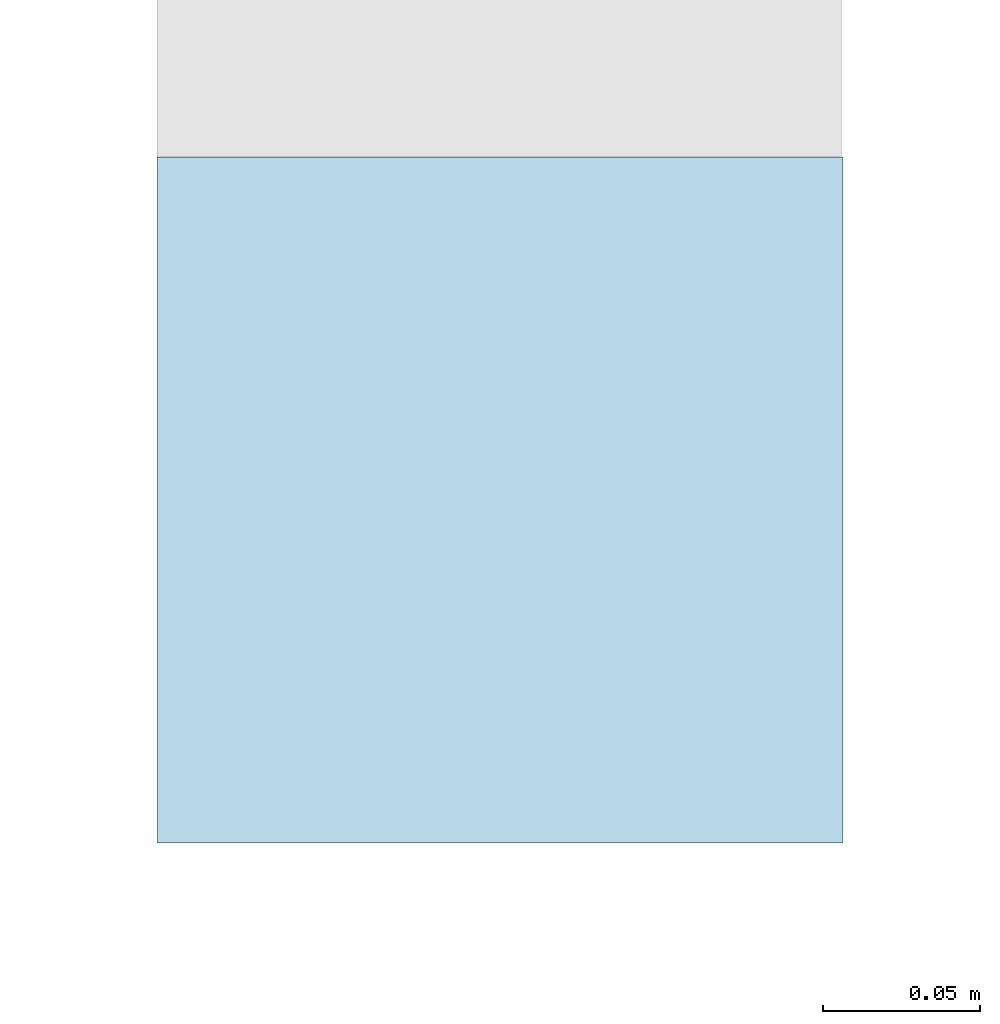
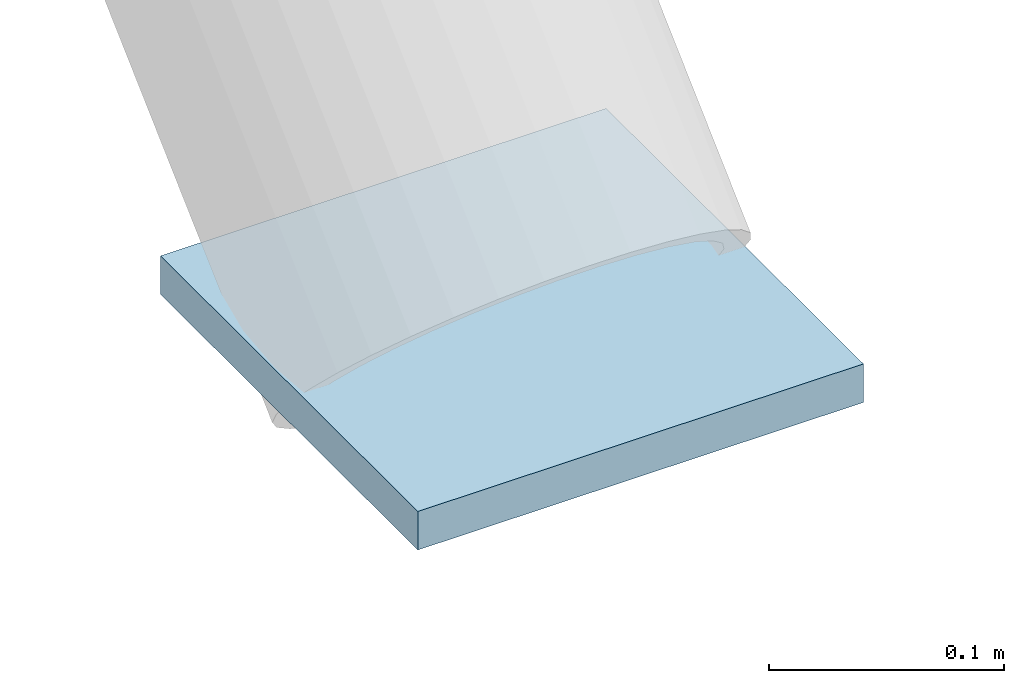
# One storey, part 57 of 109: 1 plate.
"""IFC4 building model written with IfcOpenShell, lengths in metres."""

from ifc_helpers import new_model, si_unit, derived_unit, direction, frame, origin, origin_2d, place, context, subcontext, project, spatial, rectangle, extrude, material, layer, layer_set, type_object, element, save


model = new_model("IFC4")

# Units and contexts
model_context = context("Model", 3, precision=1e-05, world=origin(), true_north=direction((0.0, 1.0)))
body_context = subcontext(model_context, "Body", "Model", "MODEL_VIEW")
ifc_project = project(units=[si_unit("LENGTHUNIT", "METRE"), si_unit("AREAUNIT", "SQUARE_METRE"), si_unit("VOLUMEUNIT", "CUBIC_METRE"), si_unit("PLANEANGLEUNIT", "RADIAN"), si_unit("MASSUNIT", "GRAM", prefix="KILO"), derived_unit("THERMALTRANSMITTANCEUNIT", [(si_unit("MASSUNIT", "GRAM", prefix="KILO"), 1), (si_unit("TIMEUNIT", "SECOND"), -3), (si_unit("THERMODYNAMICTEMPERATUREUNIT", "KELVIN"), -1)])], contexts=[model_context])

# Site, building, storey
site_placement = place(None, origin())
site = spatial("IfcSite", under=ifc_project, at=site_placement, CompositionType="ELEMENT")
building_placement = place(site_placement, origin())
building = spatial("IfcBuilding", under=site, at=building_placement, Name="Kharveza Railside Sports Centre", CompositionType="ELEMENT")
storey_placement = place(building_placement, frame((0.0, 0.0, 4.5)))
storey = spatial("IfcBuildingStorey", under=building, at=storey_placement, Name="L01", CompositionType="ELEMENT", Elevation=4.5)

# Plate
ifc_material = material(Name="Steel S355J2", Category="steel")
ifc_layer = layer(ifc_material, 0.02001953125, Name="Steel S355J2")
ifc_layer_set = layer_set([ifc_layer], Name="Steel S355J2")
plate_type = type_object("IfcPlateType", Name="PL-EC08", PredefinedType="USERDEFINED", material=ifc_layer_set)
plate_placement = place(storey_placement, frame((54.60009765625, 78.949951171875, -0.010009765625), z_axis=(0.0, 0.0, 1.0), x_axis=(1.0, 0.0, 0.0)))
element("IfcPlate", 1, at=plate_placement, inside=storey, type_object=plate_type, Name="PLT-EC-072", ObjectType="END_CAP_PLATE", PredefinedType="USERDEFINED", context=body_context, shape_type="SweptSolid", body=[
    extrude(rectangle(XDim=0.218994140625, YDim=0.218994140625, at=origin_2d()), origin(), (0.0, 0.0, 1.0), 0.02001953125),
])

save(model, "model.ifc")
